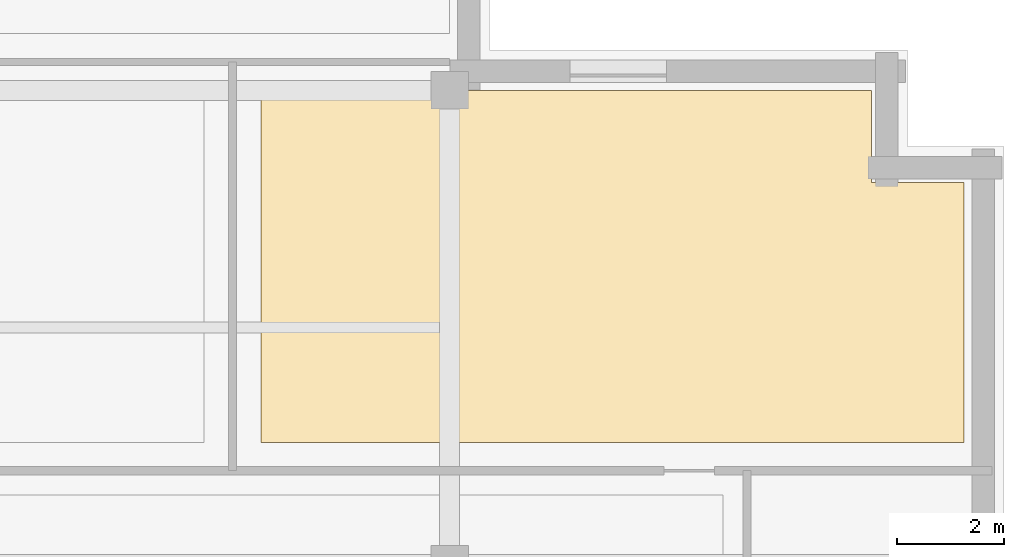
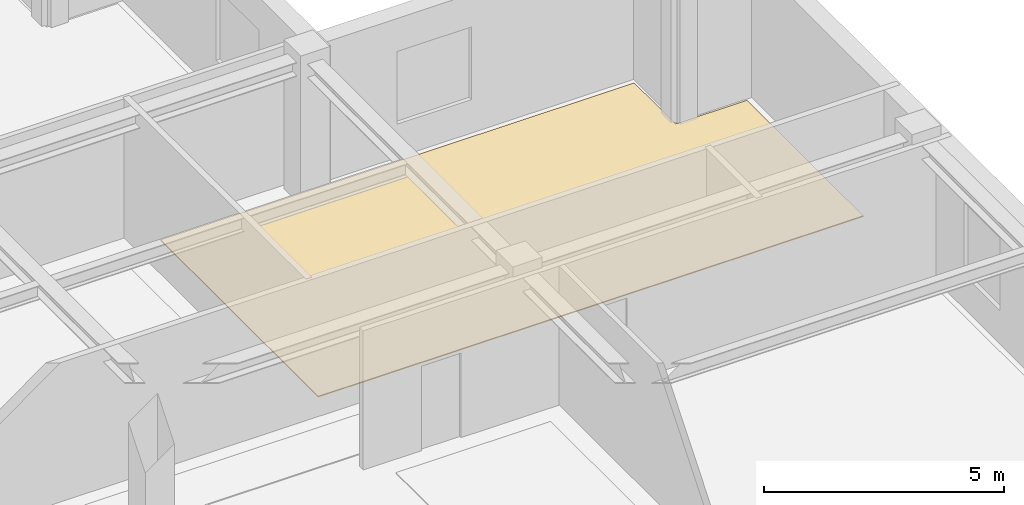
# One storey, part 9 of 10: 1 covering.
"""IFC4 building model written with IfcOpenShell, lengths in metres."""

from ifc_helpers import new_model, si_unit, direction, frame, origin, place, context, subcontext, project, spatial, polyline, outline, extrude, material, layer, layer_set, type_object, element, save


model = new_model("IFC4")

# Units and contexts
model_context = context("Model", 3, precision=1e-05, world=origin(), true_north=direction((0.0, 1.0)))
body_context = subcontext(model_context, "Body", "Model", "MODEL_VIEW")
ifc_project = project(units=[si_unit("LENGTHUNIT", "METRE"), si_unit("AREAUNIT", "SQUARE_METRE"), si_unit("VOLUMEUNIT", "CUBIC_METRE"), si_unit("PLANEANGLEUNIT", "RADIAN"), si_unit("MASSUNIT", "GRAM", prefix="KILO")], contexts=[model_context])

# Site, building, storey
site_placement = place(None, origin())
site = spatial("IfcSite", under=ifc_project, at=site_placement, CompositionType="ELEMENT")
building_placement = place(site_placement, origin())
building = spatial("IfcBuilding", under=site, at=building_placement, Name="Norrvale University Quadrangle", CompositionType="ELEMENT")
storey_placement = place(building_placement, frame((0.0, 0.0, 296.199951171875)))
storey = spatial("IfcBuildingStorey", under=building, at=storey_placement, Name="L75", CompositionType="ELEMENT", Elevation=296.199951171875)

# Covering
ifc_material = material(Name="Polished Terrazzo Flooring")
ifc_layer = layer(ifc_material, 0.02490234375, Name="Polished Terrazzo Flooring")
ifc_layer_set = layer_set([ifc_layer], Name="Polished Terrazzo Flooring")
covering_type = type_object("IfcCoveringType", Name="Covering Terrazzo Floor 30", PredefinedType="FLOORING", material=ifc_layer_set)
covering_placement = place(storey_placement, origin())
element("IfcCovering", 1, at=covering_placement, inside=storey, type_object=covering_type, Name="Terrazzo Flooring RM-L75-ME02", PredefinedType="FLOORING", context=body_context, shape_type="SweptSolid", body=[
    extrude(outline(polyline([(47.25, 31.080078125), (34.1298828125, 31.080078125), (34.1298828125, 37.64990234375), (45.530029296875, 37.64990234375), (45.530029296875, 35.929931640625), (47.25, 35.929931640625), (47.25, 31.080078125)])), origin(), (0.0, 0.0, 1.0), 0.025146484375),
])

save(model, "model.ifc")
